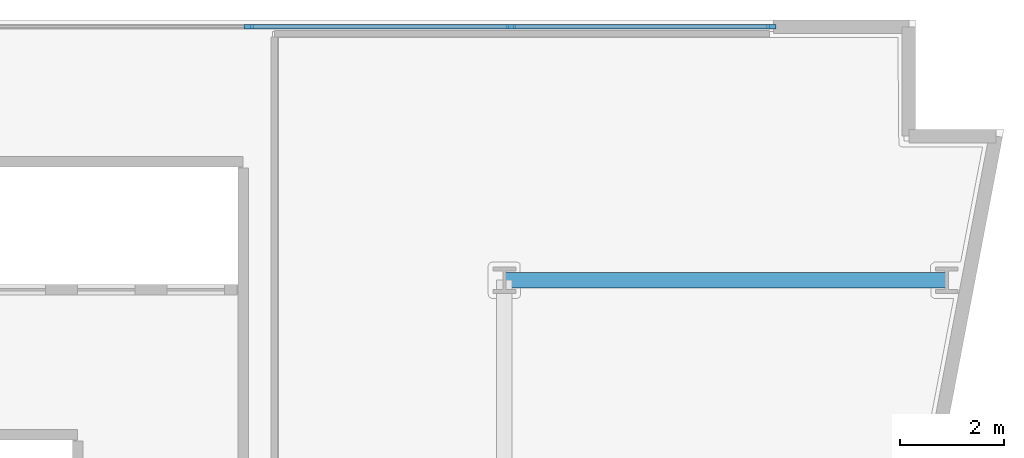
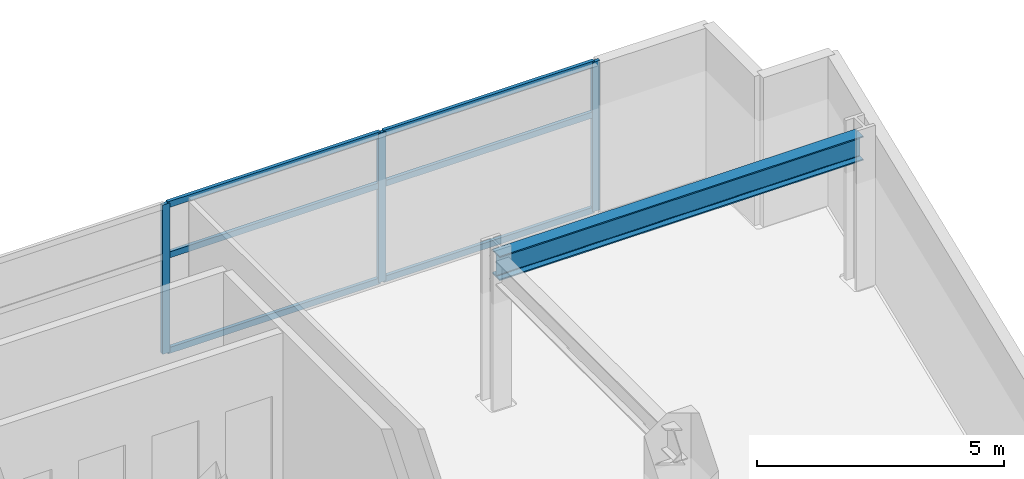
# One storey, part 4 of 12: 9 members, 1 beam, 1 element without a shape of its own.
"""IFC4 building model written with IfcOpenShell, lengths in metres."""

from ifc_helpers import new_model, si_unit, direction, frame, origin, origin_2d, place, context, subcontext, project, spatial, rectangle, i_section, extrude, material, layer, layer_set, material_profile, profile_set, type_object, element, aggregate, save


model = new_model("IFC4")

# Units and contexts
model_context = context("Model", 3, precision=1e-05, world=origin(), true_north=direction((0.0, 1.0)))
body_context = subcontext(model_context, "Body", "Model", "MODEL_VIEW")
ifc_project = project(units=[si_unit("LENGTHUNIT", "METRE"), si_unit("AREAUNIT", "SQUARE_METRE"), si_unit("VOLUMEUNIT", "CUBIC_METRE"), si_unit("PLANEANGLEUNIT", "RADIAN"), si_unit("MASSUNIT", "GRAM", prefix="KILO")], contexts=[model_context])

# Site, building, storey
site_placement = place(None, origin())
site = spatial("IfcSite", under=ifc_project, at=site_placement, CompositionType="ELEMENT")
building_placement = place(site_placement, origin())
building = spatial("IfcBuilding", under=site, at=building_placement, Name="Caeloran Harvest Quay", CompositionType="ELEMENT")
storey_placement = place(building_placement, frame((0.0, 0.0, 111.39990234375)))
storey = spatial("IfcBuildingStorey", under=building, at=storey_placement, Name="L25", CompositionType="ELEMENT", Elevation=111.39990234375)

# Beam
ifc_material_1 = material(Name="Steel S355J2", Category="steel")
ifc_material_profile_1 = material_profile(ifc_material_1, i_section(OverallWidth=0.300048828125, OverallDepth=0.60009765625, WebThickness=0.015380859375, FlangeThickness=0.030029296875, FilletRadius=0.027099609375, at=origin_2d()), Name="HE 600 B")
ifc_profile_set_1 = profile_set([ifc_material_profile_1], Name="Steel S355J2")
beam_type = type_object("IfcBeamType", Name="BM-PG-3-HE_600_B", PredefinedType="BEAM", material=ifc_profile_set_1)
beam_placement = place(storey_placement, frame((42.5, 38.5, 3.39013671875), z_axis=(1.0, 0.0, 0.0), x_axis=(0.0, 1.0, 0.0)))
element("IfcBeam", 1, at=beam_placement, inside=storey, type_object=beam_type, Name="L25 Primary East-West Girder Y=38.5", PredefinedType="BEAM", context=body_context, shape_type="SweptSolid", body=[
    extrude(i_section(OverallWidth=0.300048828125, OverallDepth=0.60009765625, WebThickness=0.015380859375, FlangeThickness=0.030029296875, FilletRadius=0.027099609375, at=origin_2d()), origin(), (0.0, 0.0, 1.0), 8.5),
])

# Curtain wall, members
ifc_material_2 = material(Name="Aluminium 6063-T6 and Low-E Glazing", Category="aluminium")
ifc_layer = layer(ifc_material_2, 0.18994140625, Name="Aluminium 6063-T6 and Low-E Glazing")
ifc_layer_set = layer_set([ifc_layer], Name="Aluminium 6063-T6 and Low-E Glazing")
curtain_wall_type = type_object("IfcCurtainWallType", Name="CW-SYS-CW-3", PredefinedType="USERDEFINED", material=ifc_layer_set)
curtain_wall_placement = place(storey_placement, origin())
curtain_wall = element("IfcCurtainWall", 2, at=curtain_wall_placement, inside=storey, type_object=curtain_wall_type, Name="L25 Unitised Curtain Wall CW-3 Run 6", ObjectType="CURTAIN_WALL", PredefinedType="USERDEFINED")
ifc_material_3 = material(Name="Aluminium 6063-T6", Category="aluminium")
ifc_material_profile_2 = material_profile(ifc_material_3, rectangle(XDim=0.080078125, YDim=0.179931640625, at=origin_2d()), Name="CW-MULLION-180")
ifc_profile_set_2 = profile_set([ifc_material_profile_2], Name="Aluminium 6063-T6")
member_type_1 = type_object("IfcMemberType", Name="CW-MULLION-180", PredefinedType="MULLION", material=ifc_profile_set_2)
member_1_placement = place(storey_placement, frame((37.5849609375, 43.3701171875, 0.0), z_axis=(0.0, 0.0, 1.0), x_axis=(0.0, 1.0, 0.0)))
member_1 = element("IfcMember", 3, at=member_1_placement, type_object=member_type_1, Name="CW-3 mullion 7", PredefinedType="MULLION", context=body_context, shape_type="SweptSolid", body=[
    extrude(rectangle(XDim=0.080078125, YDim=0.179931640625, at=origin_2d()), origin(), (0.0, 0.0, 1.0), 3.690185546875),
])
member_2_placement = place(storey_placement, frame((42.62744140625, 43.3701171875, 0.0), z_axis=(0.0, 0.0, 1.0), x_axis=(0.0, 1.0, 0.0)))
member_2 = element("IfcMember", 4, at=member_2_placement, type_object=member_type_1, Name="CW-3 mullion 8", PredefinedType="MULLION", context=body_context, shape_type="SweptSolid", body=[
    extrude(rectangle(XDim=0.080078125, YDim=0.179931640625, at=origin_2d()), origin(), (0.0, 0.0, 1.0), 3.690185546875),
])
member_3_placement = place(storey_placement, frame((47.6298828125, 43.3701171875, 0.0), z_axis=(0.0, 0.0, 1.0), x_axis=(0.0, 1.0, 0.0)))
member_3 = element("IfcMember", 5, at=member_3_placement, type_object=member_type_1, Name="CW-3 mullion 9", PredefinedType="MULLION", context=body_context, shape_type="SweptSolid", body=[
    extrude(rectangle(XDim=0.080078125, YDim=0.179931640625, at=origin_2d()), origin(), (0.0, 0.0, 1.0), 3.690185546875),
])
ifc_material_profile_3 = material_profile(ifc_material_3, rectangle(XDim=0.080078125, YDim=0.14990234375, at=origin_2d()), Name="CW-TRANSOM-150")
ifc_profile_set_3 = profile_set([ifc_material_profile_3], Name="Aluminium 6063-T6")
member_type_2 = type_object("IfcMemberType", Name="CW-TRANSOM-150", PredefinedType="USERDEFINED", material=ifc_profile_set_3)
member_4_placement = place(storey_placement, frame((37.625, 43.3701171875, 0.0400390625), z_axis=(1.0, 0.0, 0.0), x_axis=(0.0, 1.0, 0.0)))
member_4 = element("IfcMember", 6, at=member_4_placement, type_object=member_type_2, Name="CW-3 transom 7.1", ObjectType="TRANSOM", PredefinedType="USERDEFINED", context=body_context, shape_type="SweptSolid", body=[
    extrude(rectangle(XDim=0.080078125, YDim=0.14990234375, at=origin_2d()), origin(), (0.0, 0.0, 1.0), 4.96240234375),
])
member_5_placement = place(storey_placement, frame((37.625, 43.3701171875, 2.400146484375), z_axis=(1.0, 0.0, 0.0), x_axis=(0.0, 1.0, 0.0)))
member_5 = element("IfcMember", 7, at=member_5_placement, type_object=member_type_2, Name="CW-3 transom 7.2", ObjectType="TRANSOM", PredefinedType="USERDEFINED", context=body_context, shape_type="SweptSolid", body=[
    extrude(rectangle(XDim=0.080078125, YDim=0.14990234375, at=origin_2d()), origin(), (0.0, 0.0, 1.0), 4.96240234375),
])
member_6_placement = place(storey_placement, frame((37.625, 43.3701171875, 3.650146484375), z_axis=(1.0, 0.0, 0.0), x_axis=(0.0, 1.0, 0.0)))
member_6 = element("IfcMember", 8, at=member_6_placement, type_object=member_type_2, Name="CW-3 transom 7.3", ObjectType="TRANSOM", PredefinedType="USERDEFINED", context=body_context, shape_type="SweptSolid", body=[
    extrude(rectangle(XDim=0.080078125, YDim=0.14990234375, at=origin_2d()), origin(), (0.0, 0.0, 1.0), 4.96240234375),
])
member_7_placement = place(storey_placement, frame((42.66748046875, 43.3701171875, 0.0400390625), z_axis=(1.0, 0.0, 0.0), x_axis=(0.0, 1.0, 0.0)))
member_7 = element("IfcMember", 9, at=member_7_placement, type_object=member_type_2, Name="CW-3 transom 8.1", ObjectType="TRANSOM", PredefinedType="USERDEFINED", context=body_context, shape_type="SweptSolid", body=[
    extrude(rectangle(XDim=0.080078125, YDim=0.14990234375, at=origin_2d()), origin(), (0.0, 0.0, 1.0), 4.922607421875),
])
member_8_placement = place(storey_placement, frame((42.66748046875, 43.3701171875, 2.400146484375), z_axis=(1.0, 0.0, 0.0), x_axis=(0.0, 1.0, 0.0)))
member_8 = element("IfcMember", 10, at=member_8_placement, type_object=member_type_2, Name="CW-3 transom 8.2", ObjectType="TRANSOM", PredefinedType="USERDEFINED", context=body_context, shape_type="SweptSolid", body=[
    extrude(rectangle(XDim=0.080078125, YDim=0.14990234375, at=origin_2d()), origin(), (0.0, 0.0, 1.0), 4.922607421875),
])
member_9_placement = place(storey_placement, frame((42.66748046875, 43.3701171875, 3.650146484375), z_axis=(1.0, 0.0, 0.0), x_axis=(0.0, 1.0, 0.0)))
member_9 = element("IfcMember", 11, at=member_9_placement, type_object=member_type_2, Name="CW-3 transom 8.3", ObjectType="TRANSOM", PredefinedType="USERDEFINED", context=body_context, shape_type="SweptSolid", body=[
    extrude(rectangle(XDim=0.080078125, YDim=0.14990234375, at=origin_2d()), origin(), (0.0, 0.0, 1.0), 4.922607421875),
])
aggregate(curtain_wall, [member_1, member_2, member_3, member_4, member_5, member_6, member_7, member_8, member_9])

save(model, "model.ifc")
